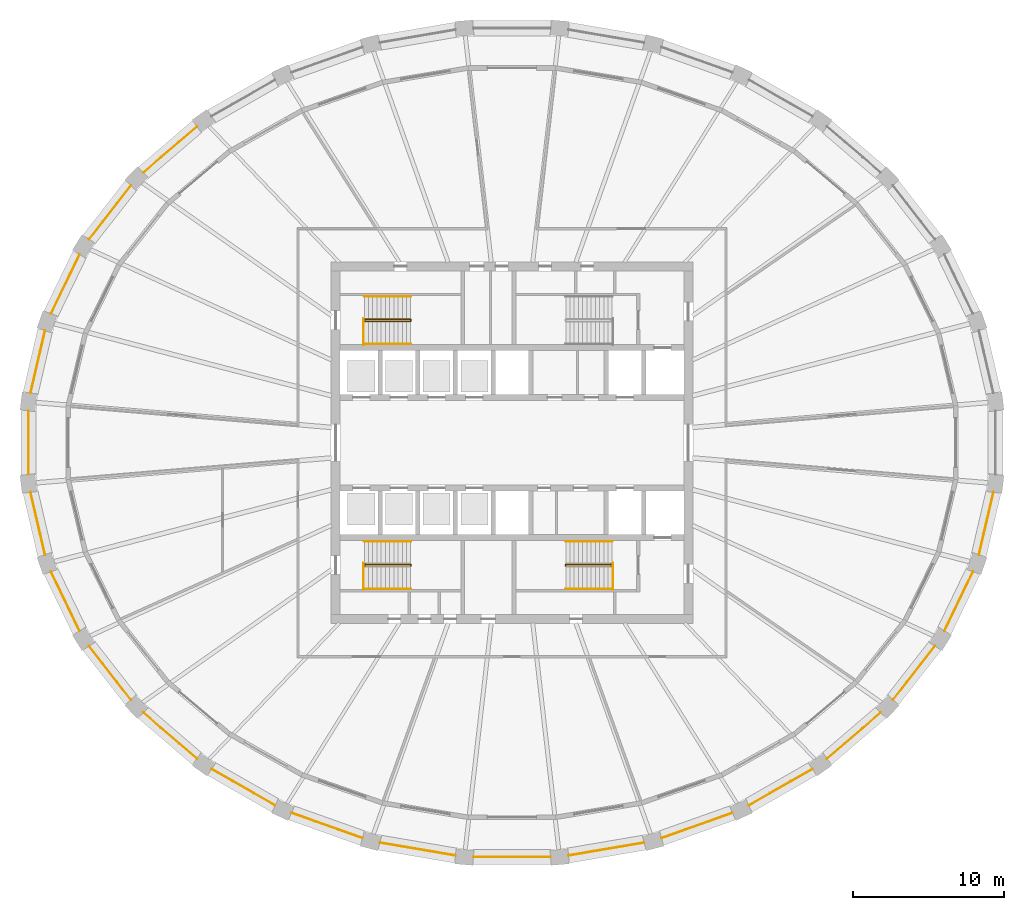
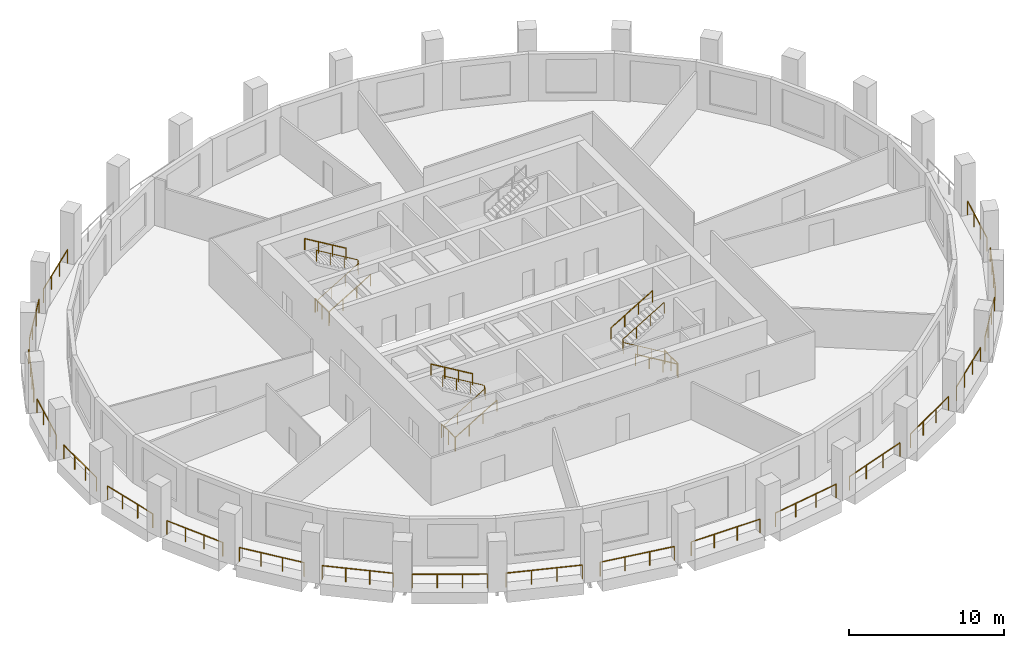
# One storey, part 8 of 10: 32 railings.
"""IFC4 building model written with IfcOpenShell, lengths in metres."""

from ifc_helpers import new_model, si_unit, direction, frame, origin, origin_2d, place, context, subcontext, project, spatial, circle, extrude, material, type_object, element, save


model = new_model("IFC4")

# Units and contexts
model_context = context("Model", 3, precision=1e-05, world=origin(), true_north=direction((0.0, 1.0)))
body_context = subcontext(model_context, "Body", "Model", "MODEL_VIEW")
ifc_project = project(units=[si_unit("LENGTHUNIT", "METRE"), si_unit("AREAUNIT", "SQUARE_METRE"), si_unit("VOLUMEUNIT", "CUBIC_METRE"), si_unit("PLANEANGLEUNIT", "RADIAN"), si_unit("MASSUNIT", "GRAM", prefix="KILO")], contexts=[model_context])

# Site, building, storey
site_placement = place(None, origin())
site = spatial("IfcSite", under=ifc_project, at=site_placement, CompositionType="ELEMENT")
building_placement = place(site_placement, origin())
building = spatial("IfcBuilding", under=site, at=building_placement, Name="Halqa Exchange Tower", CompositionType="ELEMENT")
storey_placement = place(building_placement, frame((0.0, 0.0, 202.89990234375)))
storey = spatial("IfcBuildingStorey", under=building, at=storey_placement, Name="L46", CompositionType="ELEMENT", Elevation=202.89990234375)

# Railings
ifc_material = material(Name="Stainless steel", Category="steel")
railing_type_1 = type_object("IfcRailingType", Name="Guard 1100 stainless steel", PredefinedType="GUARDRAIL", material=ifc_material)
railing_1_placement = place(storey_placement, frame((-20.906494140625, 20.968994140625, 0.0)))
element("IfcRailing", 1, at=railing_1_placement, inside=storey, type_object=railing_type_1, Name="Loggia guard 12", PredefinedType="GUARDRAIL", context=body_context, shape_type="SweptSolid", body=[
    extrude(circle(Radius=0.02392578125, at=origin_2d()), frame((0.0, 0.0, 1.076171875), z_axis=(-0.759241889785, -0.65080853774, 0.0), x_axis=(0.65080853774, -0.759241889785, 0.0)), (0.0, 0.0, 1.0), 4.685546875),
    extrude(circle(Radius=0.02099609375, at=origin_2d()), origin(), (0.0, 0.0, 1.0), 1.052001953125),
    extrude(circle(Radius=0.02099609375, at=origin_2d()), frame((-1.185791015625, -1.016357421875, 0.0)), (0.0, 0.0, 1.0), 1.052001953125),
    extrude(circle(Radius=0.02099609375, at=origin_2d()), frame((-2.37158203125, -2.032958984375, 0.0)), (0.0, 0.0, 1.0), 1.052001953125),
    extrude(circle(Radius=0.02099609375, at=origin_2d()), frame((-3.557373046875, -3.04931640625, 0.0)), (0.0, 0.0, 1.0), 1.052001953125),
])
railing_2_placement = place(storey_placement, frame((-25.288330078125, 17.055908203125, 0.0)))
element("IfcRailing", 2, at=railing_2_placement, inside=storey, type_object=railing_type_1, Name="Loggia guard 13", PredefinedType="GUARDRAIL", context=body_context, shape_type="SweptSolid", body=[
    extrude(circle(Radius=0.02392578125, at=origin_2d()), frame((0.0, 0.0, 1.076171875), z_axis=(-0.614783407659, -0.788695988114, 0.0), x_axis=(0.788695988114, -0.614783407659, 0.0)), (0.0, 0.0, 1.0), 4.510498046875),
    extrude(circle(Radius=0.02099609375, at=origin_2d()), origin(), (0.0, 0.0, 1.0), 1.052001953125),
    extrude(circle(Radius=0.02099609375, at=origin_2d()), frame((-0.92431640625, -1.185791015625, 0.0)), (0.0, 0.0, 1.0), 1.052001953125),
    extrude(circle(Radius=0.02099609375, at=origin_2d()), frame((-1.8486328125, -2.37158203125, 0.0)), (0.0, 0.0, 1.0), 1.052001953125),
    extrude(circle(Radius=0.02099609375, at=origin_2d()), frame((-2.77294921875, -3.557373046875, 0.0)), (0.0, 0.0, 1.0), 1.052001953125),
])
railing_3_placement = place(storey_placement, frame((-28.69140625, 12.485107421875, 0.0)))
element("IfcRailing", 3, at=railing_3_placement, inside=storey, type_object=railing_type_1, Name="Loggia guard 14", PredefinedType="GUARDRAIL", context=body_context, shape_type="SweptSolid", body=[
    extrude(circle(Radius=0.02392578125, at=origin_2d()), frame((0.0, 0.0, 1.076171875), z_axis=(-0.435117192418, -0.900373827287, 0.0), x_axis=(0.900373827287, -0.435117192418, 0.0)), (0.0, 0.0, 1.0), 4.35791015625),
    extrude(circle(Radius=0.02099609375, at=origin_2d()), origin(), (0.0, 0.0, 1.0), 1.052001953125),
    extrude(circle(Radius=0.02099609375, at=origin_2d()), frame((-0.632080078125, -1.307861328125, 0.0)), (0.0, 0.0, 1.0), 1.052001953125),
    extrude(circle(Radius=0.02099609375, at=origin_2d()), frame((-1.26416015625, -2.615966796875, 0.0)), (0.0, 0.0, 1.0), 1.052001953125),
    extrude(circle(Radius=0.02099609375, at=origin_2d()), frame((-1.896240234375, -3.923828125, 0.0)), (0.0, 0.0, 1.0), 1.052001953125),
])
railing_4_placement = place(storey_placement, frame((-30.984375, 7.4365234375, 0.0)))
element("IfcRailing", 4, at=railing_4_placement, inside=storey, type_object=railing_type_1, Name="Loggia guard 15", PredefinedType="GUARDRAIL", context=body_context, shape_type="SweptSolid", body=[
    extrude(circle(Radius=0.02392578125, at=origin_2d()), frame((0.0, 0.0, 1.076171875), z_axis=(-0.226079136725, -0.974108938434, 0.0), x_axis=(0.974108938434, -0.226079136725, 0.0)), (0.0, 0.0, 1.0), 4.253662109375),
    extrude(circle(Radius=0.02099609375, at=origin_2d()), origin(), (0.0, 0.0, 1.0), 1.052001953125),
    extrude(circle(Radius=0.02099609375, at=origin_2d()), frame((-0.320556640625, -1.381103515625, 0.0)), (0.0, 0.0, 1.0), 1.052001953125),
    extrude(circle(Radius=0.02099609375, at=origin_2d()), frame((-0.64111328125, -2.762451171875, 0.0)), (0.0, 0.0, 1.0), 1.052001953125),
    extrude(circle(Radius=0.02099609375, at=origin_2d()), frame((-0.961669921875, -4.1435546875, 0.0)), (0.0, 0.0, 1.0), 1.052001953125),
])
railing_5_placement = place(storey_placement, frame((-32.08154296875, 2.1083984375, 0.0)))
element("IfcRailing", 5, at=railing_5_placement, inside=storey, type_object=railing_type_1, Name="Loggia guard 16", PredefinedType="GUARDRAIL", context=body_context, shape_type="SweptSolid", body=[
    extrude(circle(Radius=0.02392578125, at=origin_2d()), frame((0.0, 0.0, 1.076171875), z_axis=(0.0, -1.0, 0.0), x_axis=(1.0, 0.0, 0.0)), (0.0, 0.0, 1.0), 4.216796875),
    extrude(circle(Radius=0.02099609375, at=origin_2d()), origin(), (0.0, 0.0, 1.0), 1.052001953125),
    extrude(circle(Radius=0.02099609375, at=origin_2d()), frame((0.0, -1.405517578125, 0.0)), (0.0, 0.0, 1.0), 1.052001953125),
    extrude(circle(Radius=0.02099609375, at=origin_2d()), frame((0.0, -2.811279296875, 0.0)), (0.0, 0.0, 1.0), 1.052001953125),
    extrude(circle(Radius=0.02099609375, at=origin_2d()), frame((0.0, -4.216796875, 0.0)), (0.0, 0.0, 1.0), 1.052001953125),
])
railing_6_placement = place(storey_placement, frame((-31.946044921875, -3.29296875, 0.0)))
element("IfcRailing", 6, at=railing_6_placement, inside=storey, type_object=railing_type_1, Name="Loggia guard 17", PredefinedType="GUARDRAIL", context=body_context, shape_type="SweptSolid", body=[
    extrude(circle(Radius=0.02392578125, at=origin_2d()), frame((0.0, 0.0, 1.076171875), z_axis=(0.226079136725, -0.974108938434, 0.0), x_axis=(0.974108938434, 0.226079136725, 0.0)), (0.0, 0.0, 1.0), 4.253662109375),
    extrude(circle(Radius=0.02099609375, at=origin_2d()), origin(), (0.0, 0.0, 1.0), 1.052001953125),
    extrude(circle(Radius=0.02099609375, at=origin_2d()), frame((0.320556640625, -1.381103515625, 0.0)), (0.0, 0.0, 1.0), 1.052001953125),
    extrude(circle(Radius=0.02099609375, at=origin_2d()), frame((0.64111328125, -2.762451171875, 0.0)), (0.0, 0.0, 1.0), 1.052001953125),
    extrude(circle(Radius=0.02099609375, at=origin_2d()), frame((0.961669921875, -4.1435546875, 0.0)), (0.0, 0.0, 1.0), 1.052001953125),
])
railing_7_placement = place(storey_placement, frame((-30.587646484375, -8.561279296875, 0.0)))
element("IfcRailing", 7, at=railing_7_placement, inside=storey, type_object=railing_type_1, Name="Loggia guard 18", PredefinedType="GUARDRAIL", context=body_context, shape_type="SweptSolid", body=[
    extrude(circle(Radius=0.02392578125, at=origin_2d()), frame((0.0, 0.0, 1.076171875), z_axis=(0.435117192418, -0.900373827287, 0.0), x_axis=(0.900373827287, 0.435117192418, 0.0)), (0.0, 0.0, 1.0), 4.35791015625),
    extrude(circle(Radius=0.02099609375, at=origin_2d()), origin(), (0.0, 0.0, 1.0), 1.052001953125),
    extrude(circle(Radius=0.02099609375, at=origin_2d()), frame((0.632080078125, -1.307861328125, 0.0)), (0.0, 0.0, 1.0), 1.052001953125),
    extrude(circle(Radius=0.02099609375, at=origin_2d()), frame((1.26416015625, -2.615966796875, 0.0)), (0.0, 0.0, 1.0), 1.052001953125),
    extrude(circle(Radius=0.02099609375, at=origin_2d()), frame((1.896240234375, -3.923828125, 0.0)), (0.0, 0.0, 1.0), 1.052001953125),
])
railing_8_placement = place(storey_placement, frame((-28.061279296875, -13.49853515625, 0.0)))
element("IfcRailing", 8, at=railing_8_placement, inside=storey, type_object=railing_type_1, Name="Loggia guard 19", PredefinedType="GUARDRAIL", context=body_context, shape_type="SweptSolid", body=[
    extrude(circle(Radius=0.02392578125, at=origin_2d()), frame((0.0, 0.0, 1.076171875), z_axis=(0.614783407659, -0.788695988114, 0.0), x_axis=(0.788695988114, 0.614783407659, 0.0)), (0.0, 0.0, 1.0), 4.510498046875),
    extrude(circle(Radius=0.02099609375, at=origin_2d()), origin(), (0.0, 0.0, 1.0), 1.052001953125),
    extrude(circle(Radius=0.02099609375, at=origin_2d()), frame((0.92431640625, -1.185791015625, 0.0)), (0.0, 0.0, 1.0), 1.052001953125),
    extrude(circle(Radius=0.02099609375, at=origin_2d()), frame((1.8486328125, -2.37158203125, 0.0)), (0.0, 0.0, 1.0), 1.052001953125),
    extrude(circle(Radius=0.02099609375, at=origin_2d()), frame((2.77294921875, -3.557373046875, 0.0)), (0.0, 0.0, 1.0), 1.052001953125),
])
railing_9_placement = place(storey_placement, frame((-24.4638671875, -17.919677734375, 0.0)))
element("IfcRailing", 9, at=railing_9_placement, inside=storey, type_object=railing_type_1, Name="Loggia guard 20", PredefinedType="GUARDRAIL", context=body_context, shape_type="SweptSolid", body=[
    extrude(circle(Radius=0.02392578125, at=origin_2d()), frame((0.0, 0.0, 1.076171875), z_axis=(0.759241889785, -0.65080853774, 0.0), x_axis=(0.65080853774, 0.759241889785, 0.0)), (0.0, 0.0, 1.0), 4.685546875),
    extrude(circle(Radius=0.02099609375, at=origin_2d()), origin(), (0.0, 0.0, 1.0), 1.052001953125),
    extrude(circle(Radius=0.02099609375, at=origin_2d()), frame((1.185791015625, -1.016357421875, 0.0)), (0.0, 0.0, 1.0), 1.052001953125),
    extrude(circle(Radius=0.02099609375, at=origin_2d()), frame((2.37158203125, -2.032958984375, 0.0)), (0.0, 0.0, 1.0), 1.052001953125),
    extrude(circle(Radius=0.02099609375, at=origin_2d()), frame((3.557373046875, -3.04931640625, 0.0)), (0.0, 0.0, 1.0), 1.052001953125),
])
railing_10_placement = place(storey_placement, frame((-19.93017578125, -21.65771484375, 0.0)))
element("IfcRailing", 10, at=railing_10_placement, inside=storey, type_object=railing_type_1, Name="Loggia guard 21", PredefinedType="GUARDRAIL", context=body_context, shape_type="SweptSolid", body=[
    extrude(circle(Radius=0.02392578125, at=origin_2d()), frame((0.0, 0.0, 1.076171875), z_axis=(0.867769293608, -0.496967255533, 0.0), x_axis=(0.496967255533, 0.867769293608, 0.0)), (0.0, 0.0, 1.0), 4.855224609375),
    extrude(circle(Radius=0.02099609375, at=origin_2d()), origin(), (0.0, 0.0, 1.0), 1.052001953125),
    extrude(circle(Radius=0.02099609375, at=origin_2d()), frame((1.404296875, -0.80419921875, 0.0)), (0.0, 0.0, 1.0), 1.052001953125),
    extrude(circle(Radius=0.02099609375, at=origin_2d()), frame((2.808837890625, -1.608642578125, 0.0)), (0.0, 0.0, 1.0), 1.052001953125),
    extrude(circle(Radius=0.02099609375, at=origin_2d()), frame((4.213134765625, -2.412841796875, 0.0)), (0.0, 0.0, 1.0), 1.052001953125),
])
railing_11_placement = place(storey_placement, frame((-14.630859375, -24.569580078125, 0.0)))
element("IfcRailing", 11, at=railing_11_placement, inside=storey, type_object=railing_type_1, Name="Loggia guard 22", PredefinedType="GUARDRAIL", context=body_context, shape_type="SweptSolid", body=[
    extrude(circle(Radius=0.02392578125, at=origin_2d()), frame((0.0, 0.0, 1.076171875), z_axis=(0.942371589738, -0.334568060123, 0.0), x_axis=(0.334568060123, 0.942371589738, 0.0)), (0.0, 0.0, 1.0), 4.99560546875),
    extrude(circle(Radius=0.02099609375, at=origin_2d()), origin(), (0.0, 0.0, 1.0), 1.052001953125),
    extrude(circle(Radius=0.02099609375, at=origin_2d()), frame((1.5693359375, -0.55712890625, 0.0)), (0.0, 0.0, 1.0), 1.052001953125),
    extrude(circle(Radius=0.02099609375, at=origin_2d()), frame((3.138427734375, -1.1142578125, 0.0)), (0.0, 0.0, 1.0), 1.052001953125),
    extrude(circle(Radius=0.02099609375, at=origin_2d()), frame((4.707763671875, -1.67138671875, 0.0)), (0.0, 0.0, 1.0), 1.052001953125),
])
railing_12_placement = place(storey_placement, frame((-8.766357421875, -26.54248046875, 0.0)))
element("IfcRailing", 12, at=railing_12_placement, inside=storey, type_object=railing_type_1, Name="Loggia guard 23", PredefinedType="GUARDRAIL", context=body_context, shape_type="SweptSolid", body=[
    extrude(circle(Radius=0.02392578125, at=origin_2d()), frame((0.0, 0.0, 1.076171875), z_axis=(0.985769609588, -0.16810198337, 0.0), x_axis=(0.16810198337, 0.985769609588, 0.0)), (0.0, 0.0, 1.0), 5.087646484375),
    extrude(circle(Radius=0.02099609375, at=origin_2d()), origin(), (0.0, 0.0, 1.0), 1.052001953125),
    extrude(circle(Radius=0.02099609375, at=origin_2d()), frame((1.671630859375, -0.28515625, 0.0)), (0.0, 0.0, 1.0), 1.052001953125),
    extrude(circle(Radius=0.02099609375, at=origin_2d()), frame((3.343505859375, -0.570068359375, 0.0)), (0.0, 0.0, 1.0), 1.052001953125),
    extrude(circle(Radius=0.02099609375, at=origin_2d()), frame((5.01513671875, -0.855224609375, 0.0)), (0.0, 0.0, 1.0), 1.052001953125),
])
railing_13_placement = place(storey_placement, frame((-2.559814453125, -27.498291015625, 0.0)))
element("IfcRailing", 13, at=railing_13_placement, inside=storey, type_object=railing_type_1, Name="Loggia guard 24", PredefinedType="GUARDRAIL", context=body_context, shape_type="SweptSolid", body=[
    extrude(circle(Radius=0.02392578125, at=origin_2d()), frame((0.0, 0.0, 1.076171875), z_axis=(1.0, 0.0, 0.0), x_axis=(0.0, 1.0, 0.0)), (0.0, 0.0, 1.0), 5.11962890625),
    extrude(circle(Radius=0.02099609375, at=origin_2d()), origin(), (0.0, 0.0, 1.0), 1.052001953125),
    extrude(circle(Radius=0.02099609375, at=origin_2d()), frame((1.70654296875, 0.0, 0.0)), (0.0, 0.0, 1.0), 1.052001953125),
    extrude(circle(Radius=0.02099609375, at=origin_2d()), frame((3.4130859375, 0.0, 0.0)), (0.0, 0.0, 1.0), 1.052001953125),
    extrude(circle(Radius=0.02099609375, at=origin_2d()), frame((5.11962890625, 0.0, 0.0)), (0.0, 0.0, 1.0), 1.052001953125),
])
railing_14_placement = place(storey_placement, frame((3.751220703125, -27.397705078125, 0.0)))
element("IfcRailing", 14, at=railing_14_placement, inside=storey, type_object=railing_type_1, Name="Loggia guard 25", PredefinedType="GUARDRAIL", context=body_context, shape_type="SweptSolid", body=[
    extrude(circle(Radius=0.02392578125, at=origin_2d()), frame((0.0, 0.0, 1.076171875), z_axis=(0.985769609588, 0.16810198337, 0.0), x_axis=(-0.16810198337, 0.985769609588, 0.0)), (0.0, 0.0, 1.0), 5.087646484375),
    extrude(circle(Radius=0.02099609375, at=origin_2d()), origin(), (0.0, 0.0, 1.0), 1.052001953125),
    extrude(circle(Radius=0.02099609375, at=origin_2d()), frame((1.671630859375, 0.28515625, 0.0)), (0.0, 0.0, 1.0), 1.052001953125),
    extrude(circle(Radius=0.02099609375, at=origin_2d()), frame((3.343505859375, 0.570068359375, 0.0)), (0.0, 0.0, 1.0), 1.052001953125),
    extrude(circle(Radius=0.02099609375, at=origin_2d()), frame((5.01513671875, 0.855224609375, 0.0)), (0.0, 0.0, 1.0), 1.052001953125),
])
railing_15_placement = place(storey_placement, frame((9.923095703125, -26.240966796875, 0.0)))
element("IfcRailing", 15, at=railing_15_placement, inside=storey, type_object=railing_type_1, Name="Loggia guard 26", PredefinedType="GUARDRAIL", context=body_context, shape_type="SweptSolid", body=[
    extrude(circle(Radius=0.02392578125, at=origin_2d()), frame((0.0, 0.0, 1.076171875), z_axis=(0.942371589738, 0.334568060123, 0.0), x_axis=(-0.334568060123, 0.942371589738, 0.0)), (0.0, 0.0, 1.0), 4.99560546875),
    extrude(circle(Radius=0.02099609375, at=origin_2d()), origin(), (0.0, 0.0, 1.0), 1.052001953125),
    extrude(circle(Radius=0.02099609375, at=origin_2d()), frame((1.5693359375, 0.55712890625, 0.0)), (0.0, 0.0, 1.0), 1.052001953125),
    extrude(circle(Radius=0.02099609375, at=origin_2d()), frame((3.138427734375, 1.1142578125, 0.0)), (0.0, 0.0, 1.0), 1.052001953125),
    extrude(circle(Radius=0.02099609375, at=origin_2d()), frame((4.707763671875, 1.67138671875, 0.0)), (0.0, 0.0, 1.0), 1.052001953125),
])
railing_16_placement = place(storey_placement, frame((15.717041015625, -24.070556640625, 0.0)))
element("IfcRailing", 16, at=railing_16_placement, inside=storey, type_object=railing_type_1, Name="Loggia guard 27", PredefinedType="GUARDRAIL", context=body_context, shape_type="SweptSolid", body=[
    extrude(circle(Radius=0.02392578125, at=origin_2d()), frame((0.0, 0.0, 1.076171875), z_axis=(0.867769293608, 0.496967255533, 0.0), x_axis=(-0.496967255533, 0.867769293608, 0.0)), (0.0, 0.0, 1.0), 4.855224609375),
    extrude(circle(Radius=0.02099609375, at=origin_2d()), origin(), (0.0, 0.0, 1.0), 1.052001953125),
    extrude(circle(Radius=0.02099609375, at=origin_2d()), frame((1.404296875, 0.80419921875, 0.0)), (0.0, 0.0, 1.0), 1.052001953125),
    extrude(circle(Radius=0.02099609375, at=origin_2d()), frame((2.808837890625, 1.608642578125, 0.0)), (0.0, 0.0, 1.0), 1.052001953125),
    extrude(circle(Radius=0.02099609375, at=origin_2d()), frame((4.213134765625, 2.412841796875, 0.0)), (0.0, 0.0, 1.0), 1.052001953125),
])
railing_17_placement = place(storey_placement, frame((20.906494140625, -20.968994140625, 0.0)))
element("IfcRailing", 17, at=railing_17_placement, inside=storey, type_object=railing_type_1, Name="Loggia guard 28", PredefinedType="GUARDRAIL", context=body_context, shape_type="SweptSolid", body=[
    extrude(circle(Radius=0.02392578125, at=origin_2d()), frame((0.0, 0.0, 1.076171875), z_axis=(0.759241889785, 0.65080853774, 0.0), x_axis=(-0.65080853774, 0.759241889785, 0.0)), (0.0, 0.0, 1.0), 4.685546875),
    extrude(circle(Radius=0.02099609375, at=origin_2d()), origin(), (0.0, 0.0, 1.0), 1.052001953125),
    extrude(circle(Radius=0.02099609375, at=origin_2d()), frame((1.185791015625, 1.016357421875, 0.0)), (0.0, 0.0, 1.0), 1.052001953125),
    extrude(circle(Radius=0.02099609375, at=origin_2d()), frame((2.37158203125, 2.032958984375, 0.0)), (0.0, 0.0, 1.0), 1.052001953125),
    extrude(circle(Radius=0.02099609375, at=origin_2d()), frame((3.557373046875, 3.04931640625, 0.0)), (0.0, 0.0, 1.0), 1.052001953125),
])
railing_18_placement = place(storey_placement, frame((25.288330078125, -17.055908203125, 0.0)))
element("IfcRailing", 18, at=railing_18_placement, inside=storey, type_object=railing_type_1, Name="Loggia guard 29", PredefinedType="GUARDRAIL", context=body_context, shape_type="SweptSolid", body=[
    extrude(circle(Radius=0.02392578125, at=origin_2d()), frame((0.0, 0.0, 1.076171875), z_axis=(0.614783407659, 0.788695988114, 0.0), x_axis=(-0.788695988114, 0.614783407659, 0.0)), (0.0, 0.0, 1.0), 4.510498046875),
    extrude(circle(Radius=0.02099609375, at=origin_2d()), origin(), (0.0, 0.0, 1.0), 1.052001953125),
    extrude(circle(Radius=0.02099609375, at=origin_2d()), frame((0.92431640625, 1.185791015625, 0.0)), (0.0, 0.0, 1.0), 1.052001953125),
    extrude(circle(Radius=0.02099609375, at=origin_2d()), frame((1.8486328125, 2.37158203125, 0.0)), (0.0, 0.0, 1.0), 1.052001953125),
    extrude(circle(Radius=0.02099609375, at=origin_2d()), frame((2.77294921875, 3.557373046875, 0.0)), (0.0, 0.0, 1.0), 1.052001953125),
])
railing_19_placement = place(storey_placement, frame((28.69140625, -12.485107421875, 0.0)))
element("IfcRailing", 19, at=railing_19_placement, inside=storey, type_object=railing_type_1, Name="Loggia guard 30", PredefinedType="GUARDRAIL", context=body_context, shape_type="SweptSolid", body=[
    extrude(circle(Radius=0.02392578125, at=origin_2d()), frame((0.0, 0.0, 1.076171875), z_axis=(0.435117192418, 0.900373827287, 0.0), x_axis=(-0.900373827287, 0.435117192418, 0.0)), (0.0, 0.0, 1.0), 4.35791015625),
    extrude(circle(Radius=0.02099609375, at=origin_2d()), origin(), (0.0, 0.0, 1.0), 1.052001953125),
    extrude(circle(Radius=0.02099609375, at=origin_2d()), frame((0.632080078125, 1.307861328125, 0.0)), (0.0, 0.0, 1.0), 1.052001953125),
    extrude(circle(Radius=0.02099609375, at=origin_2d()), frame((1.26416015625, 2.615966796875, 0.0)), (0.0, 0.0, 1.0), 1.052001953125),
    extrude(circle(Radius=0.02099609375, at=origin_2d()), frame((1.896240234375, 3.923828125, 0.0)), (0.0, 0.0, 1.0), 1.052001953125),
])
railing_20_placement = place(storey_placement, frame((30.984375, -7.4365234375, 0.0)))
element("IfcRailing", 20, at=railing_20_placement, inside=storey, type_object=railing_type_1, Name="Loggia guard 31", PredefinedType="GUARDRAIL", context=body_context, shape_type="SweptSolid", body=[
    extrude(circle(Radius=0.02392578125, at=origin_2d()), frame((0.0, 0.0, 1.076171875), z_axis=(0.226079136725, 0.974108938434, 0.0), x_axis=(-0.974108938434, 0.226079136725, 0.0)), (0.0, 0.0, 1.0), 4.253662109375),
    extrude(circle(Radius=0.02099609375, at=origin_2d()), origin(), (0.0, 0.0, 1.0), 1.052001953125),
    extrude(circle(Radius=0.02099609375, at=origin_2d()), frame((0.320556640625, 1.381103515625, 0.0)), (0.0, 0.0, 1.0), 1.052001953125),
    extrude(circle(Radius=0.02099609375, at=origin_2d()), frame((0.64111328125, 2.762451171875, 0.0)), (0.0, 0.0, 1.0), 1.052001953125),
    extrude(circle(Radius=0.02099609375, at=origin_2d()), frame((0.961669921875, 4.1435546875, 0.0)), (0.0, 0.0, 1.0), 1.052001953125),
])
railing_type_2 = type_object("IfcRailingType", Name="Stair handrail 900", PredefinedType="HANDRAIL", material=ifc_material)
railing_21_placement = place(storey_placement, frame((-9.800048828125, 8.06005859375, 0.166748046875)))
element("IfcRailing", 21, at=railing_21_placement, inside=storey, type_object=railing_type_2, Name="Handrail ST1.1", PredefinedType="HANDRAIL", context=body_context, shape_type="SweptSolid", body=[
    extrude(circle(Radius=0.02392578125, at=origin_2d()), frame((0.0, 0.0, 0.8759765625), z_axis=(0.859308565015, 0.0, 0.511457515432), x_axis=(0.0, 1.0, 0.0)), (0.0, 0.0, 1.0), 3.58447265625),
    extrude(circle(Radius=0.02392578125, at=origin_2d()), frame((3.080078125, 0.0, 2.708984375), z_axis=(0.0, 0.614500226555, 0.788916644243), x_axis=(-1.0, 0.0, 0.0)), (0.0, 0.0, 1.0), 0.21142578125),
    extrude(circle(Radius=0.02392578125, at=origin_2d()), frame((3.080078125, 0.1298828125, 2.8759765625), z_axis=(-0.859308565015, 0.0, 0.511457515432), x_axis=(0.0, -1.0, 0.0)), (0.0, 0.0, 1.0), 3.58447265625),
    extrude(circle(Radius=0.02099609375, at=origin_2d()), origin(), (0.0, 0.0, 1.0), 0.851806640625),
    extrude(circle(Radius=0.02099609375, at=origin_2d()), frame((1.026611328125, 0.0, 0.611083984375)), (0.0, 0.0, 1.0), 0.851806640625),
    extrude(circle(Radius=0.02099609375, at=origin_2d()), frame((2.053466796875, 0.0, 1.22216796875)), (0.0, 0.0, 1.0), 0.851806640625),
    extrude(circle(Radius=0.02099609375, at=origin_2d()), frame((3.080078125, 0.0, 1.833251953125)), (0.0, 0.0, 1.0), 0.851806640625),
    extrude(circle(Radius=0.02099609375, at=origin_2d()), frame((3.080078125, 0.1298828125, 2.0)), (0.0, 0.0, 1.0), 0.851806640625),
    extrude(circle(Radius=0.02099609375, at=origin_2d()), frame((2.053466796875, 0.1298828125, 2.611083984375)), (0.0, 0.0, 1.0), 0.851806640625),
    extrude(circle(Radius=0.02099609375, at=origin_2d()), frame((1.026611328125, 0.1298828125, 3.22216796875)), (0.0, 0.0, 1.0), 0.851806640625),
    extrude(circle(Radius=0.02099609375, at=origin_2d()), frame((0.0, 0.1298828125, 3.833251953125)), (0.0, 0.0, 1.0), 0.851806640625),
])
railing_22_placement = place(storey_placement, frame((-9.800048828125, 6.550048828125, 0.166748046875)))
element("IfcRailing", 22, at=railing_22_placement, inside=storey, type_object=railing_type_2, Name="Handrail ST1.2", PredefinedType="HANDRAIL", context=body_context, shape_type="SweptSolid", body=[
    extrude(circle(Radius=0.02392578125, at=origin_2d()), frame((0.0, 0.0, 0.8759765625), z_axis=(0.859308565015, 0.0, 0.511457515432), x_axis=(0.0, 1.0, 0.0)), (0.0, 0.0, 1.0), 3.58447265625),
    extrude(circle(Radius=0.02099609375, at=origin_2d()), origin(), (0.0, 0.0, 1.0), 0.851806640625),
    extrude(circle(Radius=0.02099609375, at=origin_2d()), frame((1.026611328125, 0.0, 0.611083984375)), (0.0, 0.0, 1.0), 0.851806640625),
    extrude(circle(Radius=0.02099609375, at=origin_2d()), frame((2.053466796875, 0.0, 1.22216796875)), (0.0, 0.0, 1.0), 0.851806640625),
    extrude(circle(Radius=0.02099609375, at=origin_2d()), frame((3.080078125, 0.0, 1.833251953125)), (0.0, 0.0, 1.0), 0.851806640625),
])
railing_23_placement = place(storey_placement, frame((-6.719970703125, 9.699951171875, 2.166748046875)))
element("IfcRailing", 23, at=railing_23_placement, inside=storey, type_object=railing_type_2, Name="Handrail ST1.3", PredefinedType="HANDRAIL", context=body_context, shape_type="SweptSolid", body=[
    extrude(circle(Radius=0.02392578125, at=origin_2d()), frame((0.0, 0.0, 0.8759765625), z_axis=(-0.859308565015, 0.0, 0.511457515432), x_axis=(0.0, -1.0, 0.0)), (0.0, 0.0, 1.0), 3.58447265625),
    extrude(circle(Radius=0.02099609375, at=origin_2d()), origin(), (0.0, 0.0, 1.0), 0.851806640625),
    extrude(circle(Radius=0.02099609375, at=origin_2d()), frame((-1.026611328125, 0.0, 0.611083984375)), (0.0, 0.0, 1.0), 0.851806640625),
    extrude(circle(Radius=0.02099609375, at=origin_2d()), frame((-2.053466796875, 0.0, 1.22216796875)), (0.0, 0.0, 1.0), 0.851806640625),
    extrude(circle(Radius=0.02099609375, at=origin_2d()), frame((-3.080078125, 0.0, 1.833251953125)), (0.0, 0.0, 1.0), 0.851806640625),
])
railing_24_placement = place(storey_placement, frame((-9.800048828125, -8.18994140625, 0.166748046875)))
element("IfcRailing", 24, at=railing_24_placement, inside=storey, type_object=railing_type_2, Name="Handrail ST3.1", PredefinedType="HANDRAIL", context=body_context, shape_type="SweptSolid", body=[
    extrude(circle(Radius=0.02392578125, at=origin_2d()), frame((0.0, 0.0, 0.8759765625), z_axis=(0.859308565015, 0.0, 0.511457515432), x_axis=(0.0, 1.0, 0.0)), (0.0, 0.0, 1.0), 3.58447265625),
    extrude(circle(Radius=0.02392578125, at=origin_2d()), frame((3.080078125, 0.0, 2.708984375), z_axis=(0.0, 0.614500226555, 0.788916644243), x_axis=(-1.0, 0.0, 0.0)), (0.0, 0.0, 1.0), 0.21142578125),
    extrude(circle(Radius=0.02392578125, at=origin_2d()), frame((3.080078125, 0.1298828125, 2.8759765625), z_axis=(-0.859308565015, 0.0, 0.511457515432), x_axis=(0.0, -1.0, 0.0)), (0.0, 0.0, 1.0), 3.58447265625),
    extrude(circle(Radius=0.02099609375, at=origin_2d()), origin(), (0.0, 0.0, 1.0), 0.851806640625),
    extrude(circle(Radius=0.02099609375, at=origin_2d()), frame((1.026611328125, 0.0, 0.611083984375)), (0.0, 0.0, 1.0), 0.851806640625),
    extrude(circle(Radius=0.02099609375, at=origin_2d()), frame((2.053466796875, 0.0, 1.22216796875)), (0.0, 0.0, 1.0), 0.851806640625),
    extrude(circle(Radius=0.02099609375, at=origin_2d()), frame((3.080078125, 0.0, 1.833251953125)), (0.0, 0.0, 1.0), 0.851806640625),
    extrude(circle(Radius=0.02099609375, at=origin_2d()), frame((3.080078125, 0.1298828125, 2.0)), (0.0, 0.0, 1.0), 0.851806640625),
    extrude(circle(Radius=0.02099609375, at=origin_2d()), frame((2.053466796875, 0.1298828125, 2.611083984375)), (0.0, 0.0, 1.0), 0.851806640625),
    extrude(circle(Radius=0.02099609375, at=origin_2d()), frame((1.026611328125, 0.1298828125, 3.22216796875)), (0.0, 0.0, 1.0), 0.851806640625),
    extrude(circle(Radius=0.02099609375, at=origin_2d()), frame((0.0, 0.1298828125, 3.833251953125)), (0.0, 0.0, 1.0), 0.851806640625),
])
railing_25_placement = place(storey_placement, frame((-9.800048828125, -9.699951171875, 0.166748046875)))
element("IfcRailing", 25, at=railing_25_placement, inside=storey, type_object=railing_type_2, Name="Handrail ST3.2", PredefinedType="HANDRAIL", context=body_context, shape_type="SweptSolid", body=[
    extrude(circle(Radius=0.02392578125, at=origin_2d()), frame((0.0, 0.0, 0.8759765625), z_axis=(0.859308565015, 0.0, 0.511457515432), x_axis=(0.0, 1.0, 0.0)), (0.0, 0.0, 1.0), 3.58447265625),
    extrude(circle(Radius=0.02099609375, at=origin_2d()), origin(), (0.0, 0.0, 1.0), 0.851806640625),
    extrude(circle(Radius=0.02099609375, at=origin_2d()), frame((1.026611328125, 0.0, 0.611083984375)), (0.0, 0.0, 1.0), 0.851806640625),
    extrude(circle(Radius=0.02099609375, at=origin_2d()), frame((2.053466796875, 0.0, 1.22216796875)), (0.0, 0.0, 1.0), 0.851806640625),
    extrude(circle(Radius=0.02099609375, at=origin_2d()), frame((3.080078125, 0.0, 1.833251953125)), (0.0, 0.0, 1.0), 0.851806640625),
])
railing_26_placement = place(storey_placement, frame((-6.719970703125, -6.550048828125, 2.166748046875)))
element("IfcRailing", 26, at=railing_26_placement, inside=storey, type_object=railing_type_2, Name="Handrail ST3.3", PredefinedType="HANDRAIL", context=body_context, shape_type="SweptSolid", body=[
    extrude(circle(Radius=0.02392578125, at=origin_2d()), frame((0.0, 0.0, 0.8759765625), z_axis=(-0.859308565015, 0.0, 0.511457515432), x_axis=(0.0, -1.0, 0.0)), (0.0, 0.0, 1.0), 3.58447265625),
    extrude(circle(Radius=0.02099609375, at=origin_2d()), origin(), (0.0, 0.0, 1.0), 0.851806640625),
    extrude(circle(Radius=0.02099609375, at=origin_2d()), frame((-1.026611328125, 0.0, 0.611083984375)), (0.0, 0.0, 1.0), 0.851806640625),
    extrude(circle(Radius=0.02099609375, at=origin_2d()), frame((-2.053466796875, 0.0, 1.22216796875)), (0.0, 0.0, 1.0), 0.851806640625),
    extrude(circle(Radius=0.02099609375, at=origin_2d()), frame((-3.080078125, 0.0, 1.833251953125)), (0.0, 0.0, 1.0), 0.851806640625),
])
railing_27_placement = place(storey_placement, frame((6.64990234375, -8.18994140625, 0.166748046875)))
element("IfcRailing", 27, at=railing_27_placement, inside=storey, type_object=railing_type_2, Name="Handrail ST4.1", PredefinedType="HANDRAIL", context=body_context, shape_type="SweptSolid", body=[
    extrude(circle(Radius=0.02392578125, at=origin_2d()), frame((0.0, 0.0, 0.8759765625), z_axis=(-0.859290745958, 0.0, 0.51148745235), x_axis=(0.0, -1.0, 0.0)), (0.0, 0.0, 1.0), 3.584228515625),
    extrude(circle(Radius=0.02392578125, at=origin_2d()), frame((-3.079833984375, 0.0, 2.708984375), z_axis=(0.0, 0.614500226555, 0.788916644243), x_axis=(-1.0, 0.0, 0.0)), (0.0, 0.0, 1.0), 0.21142578125),
    extrude(circle(Radius=0.02392578125, at=origin_2d()), frame((-3.079833984375, 0.1298828125, 2.8759765625), z_axis=(0.859290745958, 0.0, 0.51148745235), x_axis=(0.0, 1.0, 0.0)), (0.0, 0.0, 1.0), 3.584228515625),
    extrude(circle(Radius=0.02099609375, at=origin_2d()), origin(), (0.0, 0.0, 1.0), 0.851806640625),
    extrude(circle(Radius=0.02099609375, at=origin_2d()), frame((-1.026611328125, 0.0, 0.611083984375)), (0.0, 0.0, 1.0), 0.851806640625),
    extrude(circle(Radius=0.02099609375, at=origin_2d()), frame((-2.05322265625, 0.0, 1.22216796875)), (0.0, 0.0, 1.0), 0.851806640625),
    extrude(circle(Radius=0.02099609375, at=origin_2d()), frame((-3.079833984375, 0.0, 1.833251953125)), (0.0, 0.0, 1.0), 0.851806640625),
    extrude(circle(Radius=0.02099609375, at=origin_2d()), frame((-3.079833984375, 0.1298828125, 2.0)), (0.0, 0.0, 1.0), 0.851806640625),
    extrude(circle(Radius=0.02099609375, at=origin_2d()), frame((-2.05322265625, 0.1298828125, 2.611083984375)), (0.0, 0.0, 1.0), 0.851806640625),
    extrude(circle(Radius=0.02099609375, at=origin_2d()), frame((-1.026611328125, 0.1298828125, 3.22216796875)), (0.0, 0.0, 1.0), 0.851806640625),
    extrude(circle(Radius=0.02099609375, at=origin_2d()), frame((0.0, 0.1298828125, 3.833251953125)), (0.0, 0.0, 1.0), 0.851806640625),
])
railing_28_placement = place(storey_placement, frame((6.64990234375, -9.699951171875, 0.166748046875)))
element("IfcRailing", 28, at=railing_28_placement, inside=storey, type_object=railing_type_2, Name="Handrail ST4.2", PredefinedType="HANDRAIL", context=body_context, shape_type="SweptSolid", body=[
    extrude(circle(Radius=0.02392578125, at=origin_2d()), frame((0.0, 0.0, 0.8759765625), z_axis=(-0.859290745958, 0.0, 0.51148745235), x_axis=(0.0, -1.0, 0.0)), (0.0, 0.0, 1.0), 3.584228515625),
    extrude(circle(Radius=0.02099609375, at=origin_2d()), origin(), (0.0, 0.0, 1.0), 0.851806640625),
    extrude(circle(Radius=0.02099609375, at=origin_2d()), frame((-1.026611328125, 0.0, 0.611083984375)), (0.0, 0.0, 1.0), 0.851806640625),
    extrude(circle(Radius=0.02099609375, at=origin_2d()), frame((-2.05322265625, 0.0, 1.22216796875)), (0.0, 0.0, 1.0), 0.851806640625),
    extrude(circle(Radius=0.02099609375, at=origin_2d()), frame((-3.079833984375, 0.0, 1.833251953125)), (0.0, 0.0, 1.0), 0.851806640625),
])
railing_29_placement = place(storey_placement, frame((3.570068359375, -6.550048828125, 2.166748046875)))
element("IfcRailing", 29, at=railing_29_placement, inside=storey, type_object=railing_type_2, Name="Handrail ST4.3", PredefinedType="HANDRAIL", context=body_context, shape_type="SweptSolid", body=[
    extrude(circle(Radius=0.02392578125, at=origin_2d()), frame((0.0, 0.0, 0.8759765625), z_axis=(0.859290745958, 0.0, 0.51148745235), x_axis=(0.0, 1.0, 0.0)), (0.0, 0.0, 1.0), 3.584228515625),
    extrude(circle(Radius=0.02099609375, at=origin_2d()), origin(), (0.0, 0.0, 1.0), 0.851806640625),
    extrude(circle(Radius=0.02099609375, at=origin_2d()), frame((1.026611328125, 0.0, 0.611083984375)), (0.0, 0.0, 1.0), 0.851806640625),
    extrude(circle(Radius=0.02099609375, at=origin_2d()), frame((2.05322265625, 0.0, 1.22216796875)), (0.0, 0.0, 1.0), 0.851806640625),
    extrude(circle(Radius=0.02099609375, at=origin_2d()), frame((3.079833984375, 0.0, 1.833251953125)), (0.0, 0.0, 1.0), 0.851806640625),
])
railing_type_3 = type_object("IfcRailingType", Name="Stair well guard 1100", PredefinedType="GUARDRAIL", material=ifc_material)
for number, where, name in (
    (30, (-9.85009765625, 6.5, 0.0), "Guard ST1 well"),
    (31, (-9.85009765625, -9.75, 0.0), "Guard ST3 well"),
    (32, (6.699951171875, -9.75, 0.0), "Guard ST4 well"),
):
    element("IfcRailing", number, at=place(storey_placement, frame(where)), inside=storey, type_object=railing_type_3, Name=name, PredefinedType="GUARDRAIL", context=body_context, shape_type="SweptSolid", body=[
        extrude(circle(Radius=0.02392578125, at=origin_2d()), frame((0.0, 0.0, 1.076171875), z_axis=(0.0, 1.0, 0.0), x_axis=(-1.0, 0.0, 0.0)), (0.0, 0.0, 1.0), 1.75),
        extrude(circle(Radius=0.02099609375, at=origin_2d()), origin(), (0.0, 0.0, 1.0), 1.052001953125),
        extrude(circle(Radius=0.02099609375, at=origin_2d()), frame((0.0, 0.875, 0.0)), (0.0, 0.0, 1.0), 1.052001953125),
        extrude(circle(Radius=0.02099609375, at=origin_2d()), frame((0.0, 1.75, 0.0)), (0.0, 0.0, 1.0), 1.052001953125),
    ])

save(model, "model.ifc")
